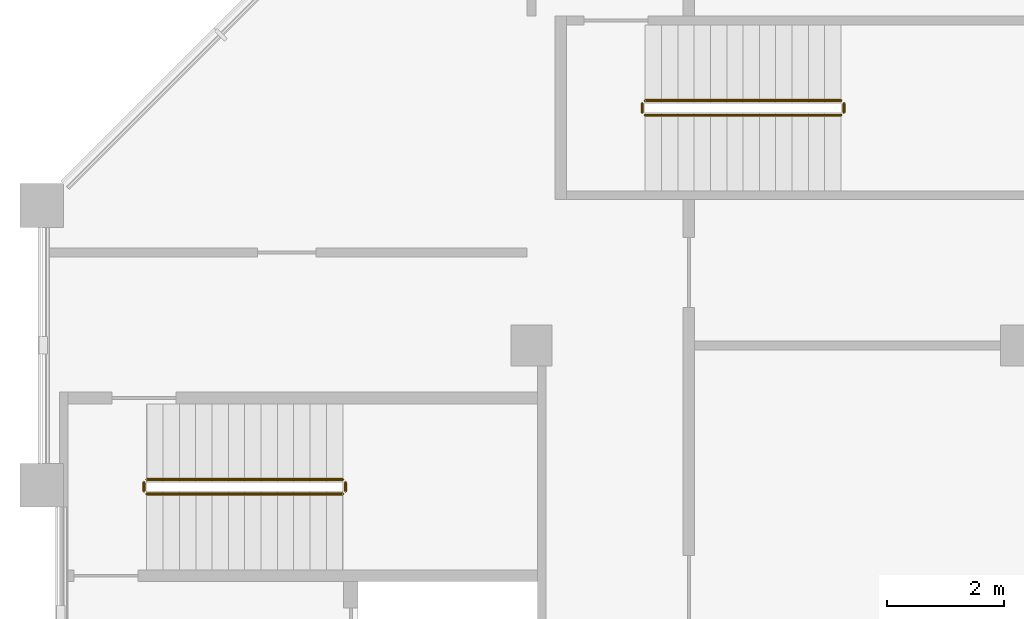
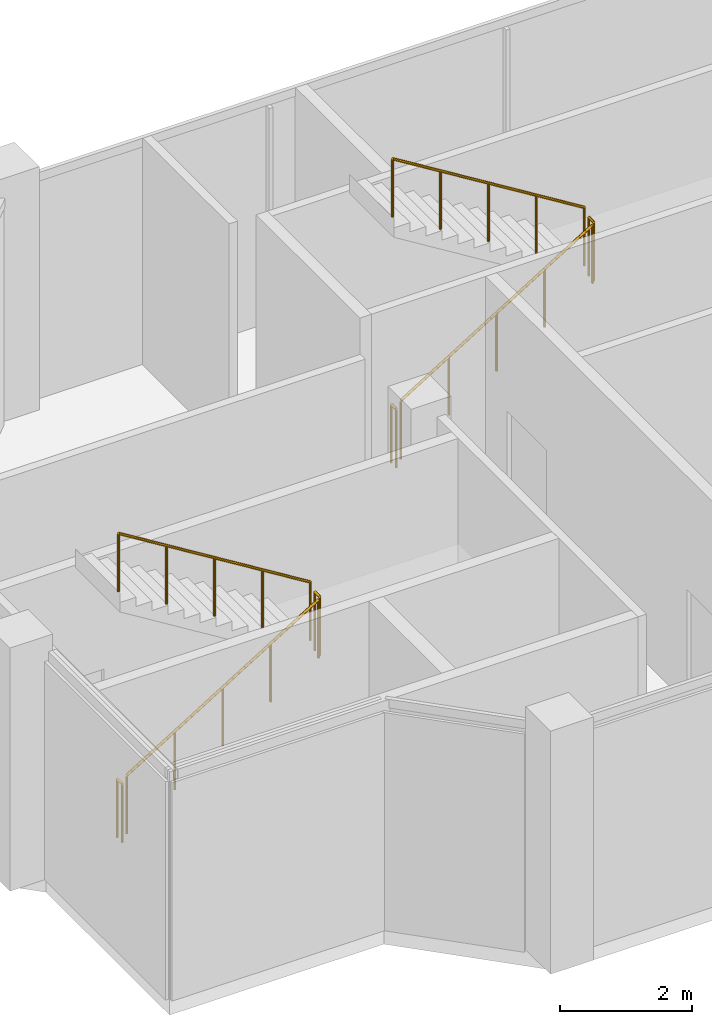
# One storey, part 8 of 9: 8 railings.
"""IFC4 building model written with IfcOpenShell, lengths in metres."""

from ifc_helpers import new_model, si_unit, direction, frame, origin, origin_2d, place, context, subcontext, project, spatial, circle, extrude, material, type_object, element, save


model = new_model("IFC4")

# Units and contexts
model_context = context("Model", 3, precision=1e-05, world=origin(), true_north=direction((0.0, 1.0)))
body_context = subcontext(model_context, "Body", "Model", "MODEL_VIEW")
ifc_project = project(units=[si_unit("LENGTHUNIT", "METRE"), si_unit("AREAUNIT", "SQUARE_METRE"), si_unit("VOLUMEUNIT", "CUBIC_METRE"), si_unit("PLANEANGLEUNIT", "RADIAN"), si_unit("MASSUNIT", "GRAM", prefix="KILO")], contexts=[model_context])

# Site, building, storey
site_placement = place(None, origin())
site = spatial("IfcSite", under=ifc_project, at=site_placement, CompositionType="ELEMENT")
building_placement = place(site_placement, origin())
building = spatial("IfcBuilding", under=site, at=building_placement, Name="Kawkab Arch Medical Tower", CompositionType="ELEMENT")
storey_placement = place(building_placement, frame((0.0, 0.0, 345.699951171875)))
storey = spatial("IfcBuildingStorey", under=building, at=storey_placement, Name="L80", CompositionType="ELEMENT", Elevation=345.699951171875)

# Railings
ifc_material = material(Name="Stainless steel", Category="steel")
railing_type = type_object("IfcRailingType", Name="Stair guard 1100", PredefinedType="GUARDRAIL", material=ifc_material)
railing_1_placement = place(storey_placement, frame((1.800048828125, -36.14990234375, 0.173095703125)))
element("IfcRailing", 1, at=railing_1_placement, inside=storey, type_object=railing_type, Name="L80 ST6 stair guard 1", PredefinedType="GUARDRAIL", context=body_context, shape_type="SweptSolid", body=[
    extrude(circle(Radius=0.02392578125, at=origin_2d()), frame((0.0, 0.0, 1.076171875), z_axis=(0.850606129759, 0.0, 0.525803396734), x_axis=(0.0, 1.0, 0.0)), (0.0, 0.0, 1.0), 3.949951171875),
    extrude(circle(Radius=0.02099609375, at=origin_2d()), origin(), (0.0, 0.0, 1.0), 1.052001953125),
    extrude(circle(Radius=0.02099609375, at=origin_2d()), frame((0.83984375, 0.0, 0.519287109375)), (0.0, 0.0, 1.0), 1.052001953125),
    extrude(circle(Radius=0.02099609375, at=origin_2d()), frame((1.679931640625, 0.0, 1.03857421875)), (0.0, 0.0, 1.0), 1.052001953125),
    extrude(circle(Radius=0.02099609375, at=origin_2d()), frame((2.52001953125, 0.0, 1.5576171875)), (0.0, 0.0, 1.0), 1.052001953125),
    extrude(circle(Radius=0.02099609375, at=origin_2d()), frame((3.35986328125, 0.0, 2.076904296875)), (0.0, 0.0, 1.0), 1.052001953125),
])
railing_2_placement = place(storey_placement, frame((5.2099609375, -36.10009765625, 2.25)))
element("IfcRailing", 2, at=railing_2_placement, inside=storey, type_object=railing_type, Name="L80 ST6 stair guard 2", PredefinedType="GUARDRAIL", context=body_context, shape_type="SweptSolid", body=[
    extrude(circle(Radius=0.02392578125, at=origin_2d()), frame((0.0, 0.0, 1.076171875), z_axis=(0.0, 1.0, 0.0), x_axis=(-1.0, 0.0, 0.0)), (0.0, 0.0, 1.0), 0.150146484375),
    extrude(circle(Radius=0.02099609375, at=origin_2d()), origin(), (0.0, 0.0, 1.0), 1.052001953125),
    extrude(circle(Radius=0.02099609375, at=origin_2d()), frame((0.0, 0.150146484375, 0.0)), (0.0, 0.0, 1.0), 1.052001953125),
])
railing_3_placement = place(storey_placement, frame((5.159912109375, -35.89990234375, 2.423095703125)))
element("IfcRailing", 3, at=railing_3_placement, inside=storey, type_object=railing_type, Name="L80 ST6 stair guard 3", PredefinedType="GUARDRAIL", context=body_context, shape_type="SweptSolid", body=[
    extrude(circle(Radius=0.02392578125, at=origin_2d()), frame((0.0, 0.0, 1.076171875), z_axis=(-0.850606129759, 0.0, 0.525803396734), x_axis=(0.0, -1.0, 0.0)), (0.0, 0.0, 1.0), 3.949951171875),
    extrude(circle(Radius=0.02099609375, at=origin_2d()), origin(), (0.0, 0.0, 1.0), 1.052001953125),
    extrude(circle(Radius=0.02099609375, at=origin_2d()), frame((-0.83984375, 0.0, 0.519287109375)), (0.0, 0.0, 1.0), 1.052001953125),
    extrude(circle(Radius=0.02099609375, at=origin_2d()), frame((-1.679931640625, 0.0, 1.03857421875)), (0.0, 0.0, 1.0), 1.052001953125),
    extrude(circle(Radius=0.02099609375, at=origin_2d()), frame((-2.52001953125, 0.0, 1.5576171875)), (0.0, 0.0, 1.0), 1.052001953125),
    extrude(circle(Radius=0.02099609375, at=origin_2d()), frame((-3.35986328125, 0.0, 2.076904296875)), (0.0, 0.0, 1.0), 1.052001953125),
])
railing_4_placement = place(storey_placement, frame((1.75, -36.10009765625, 0.0)))
element("IfcRailing", 4, at=railing_4_placement, inside=storey, type_object=railing_type, Name="L80 ST6 stair guard 4", PredefinedType="GUARDRAIL", context=body_context, shape_type="SweptSolid", body=[
    extrude(circle(Radius=0.02392578125, at=origin_2d()), frame((0.0, 0.0, 1.076171875), z_axis=(0.0, 1.0, 0.0), x_axis=(-1.0, 0.0, 0.0)), (0.0, 0.0, 1.0), 0.150146484375),
    extrude(circle(Radius=0.02099609375, at=origin_2d()), origin(), (0.0, 0.0, 1.0), 1.052001953125),
    extrude(circle(Radius=0.02099609375, at=origin_2d()), frame((0.0, 0.150146484375, 0.0)), (0.0, 0.0, 1.0), 1.052001953125),
])
railing_5_placement = place(storey_placement, frame((10.35009765625, -29.64990234375, 0.173095703125)))
element("IfcRailing", 5, at=railing_5_placement, inside=storey, type_object=railing_type, Name="L80 ST9 stair guard 1", PredefinedType="GUARDRAIL", context=body_context, shape_type="SweptSolid", body=[
    extrude(circle(Radius=0.02392578125, at=origin_2d()), frame((0.0, 0.0, 1.076171875), z_axis=(0.850606129759, 0.0, 0.525803396734), x_axis=(0.0, 1.0, 0.0)), (0.0, 0.0, 1.0), 3.949951171875),
    extrude(circle(Radius=0.02099609375, at=origin_2d()), origin(), (0.0, 0.0, 1.0), 1.052001953125),
    extrude(circle(Radius=0.02099609375, at=origin_2d()), frame((0.83984375, 0.0, 0.519287109375)), (0.0, 0.0, 1.0), 1.052001953125),
    extrude(circle(Radius=0.02099609375, at=origin_2d()), frame((1.679931640625, 0.0, 1.03857421875)), (0.0, 0.0, 1.0), 1.052001953125),
    extrude(circle(Radius=0.02099609375, at=origin_2d()), frame((2.52001953125, 0.0, 1.5576171875)), (0.0, 0.0, 1.0), 1.052001953125),
    extrude(circle(Radius=0.02099609375, at=origin_2d()), frame((3.35986328125, 0.0, 2.076904296875)), (0.0, 0.0, 1.0), 1.052001953125),
])
railing_6_placement = place(storey_placement, frame((13.760009765625, -29.60009765625, 2.25)))
element("IfcRailing", 6, at=railing_6_placement, inside=storey, type_object=railing_type, Name="L80 ST9 stair guard 2", PredefinedType="GUARDRAIL", context=body_context, shape_type="SweptSolid", body=[
    extrude(circle(Radius=0.02392578125, at=origin_2d()), frame((0.0, 0.0, 1.076171875), z_axis=(0.0, 1.0, 0.0), x_axis=(-1.0, 0.0, 0.0)), (0.0, 0.0, 1.0), 0.150146484375),
    extrude(circle(Radius=0.02099609375, at=origin_2d()), origin(), (0.0, 0.0, 1.0), 1.052001953125),
    extrude(circle(Radius=0.02099609375, at=origin_2d()), frame((0.0, 0.150146484375, 0.0)), (0.0, 0.0, 1.0), 1.052001953125),
])
railing_7_placement = place(storey_placement, frame((13.7099609375, -29.39990234375, 2.423095703125)))
element("IfcRailing", 7, at=railing_7_placement, inside=storey, type_object=railing_type, Name="L80 ST9 stair guard 3", PredefinedType="GUARDRAIL", context=body_context, shape_type="SweptSolid", body=[
    extrude(circle(Radius=0.02392578125, at=origin_2d()), frame((0.0, 0.0, 1.076171875), z_axis=(-0.850606129759, 0.0, 0.525803396734), x_axis=(0.0, -1.0, 0.0)), (0.0, 0.0, 1.0), 3.949951171875),
    extrude(circle(Radius=0.02099609375, at=origin_2d()), origin(), (0.0, 0.0, 1.0), 1.052001953125),
    extrude(circle(Radius=0.02099609375, at=origin_2d()), frame((-0.83984375, 0.0, 0.519287109375)), (0.0, 0.0, 1.0), 1.052001953125),
    extrude(circle(Radius=0.02099609375, at=origin_2d()), frame((-1.679931640625, 0.0, 1.03857421875)), (0.0, 0.0, 1.0), 1.052001953125),
    extrude(circle(Radius=0.02099609375, at=origin_2d()), frame((-2.52001953125, 0.0, 1.5576171875)), (0.0, 0.0, 1.0), 1.052001953125),
    extrude(circle(Radius=0.02099609375, at=origin_2d()), frame((-3.35986328125, 0.0, 2.076904296875)), (0.0, 0.0, 1.0), 1.052001953125),
])
railing_8_placement = place(storey_placement, frame((10.300048828125, -29.60009765625, 0.0)))
element("IfcRailing", 8, at=railing_8_placement, inside=storey, type_object=railing_type, Name="L80 ST9 stair guard 4", PredefinedType="GUARDRAIL", context=body_context, shape_type="SweptSolid", body=[
    extrude(circle(Radius=0.02392578125, at=origin_2d()), frame((0.0, 0.0, 1.076171875), z_axis=(0.0, 1.0, 0.0), x_axis=(-1.0, 0.0, 0.0)), (0.0, 0.0, 1.0), 0.150146484375),
    extrude(circle(Radius=0.02099609375, at=origin_2d()), origin(), (0.0, 0.0, 1.0), 1.052001953125),
    extrude(circle(Radius=0.02099609375, at=origin_2d()), frame((0.0, 0.150146484375, 0.0)), (0.0, 0.0, 1.0), 1.052001953125),
])

save(model, "model.ifc")
